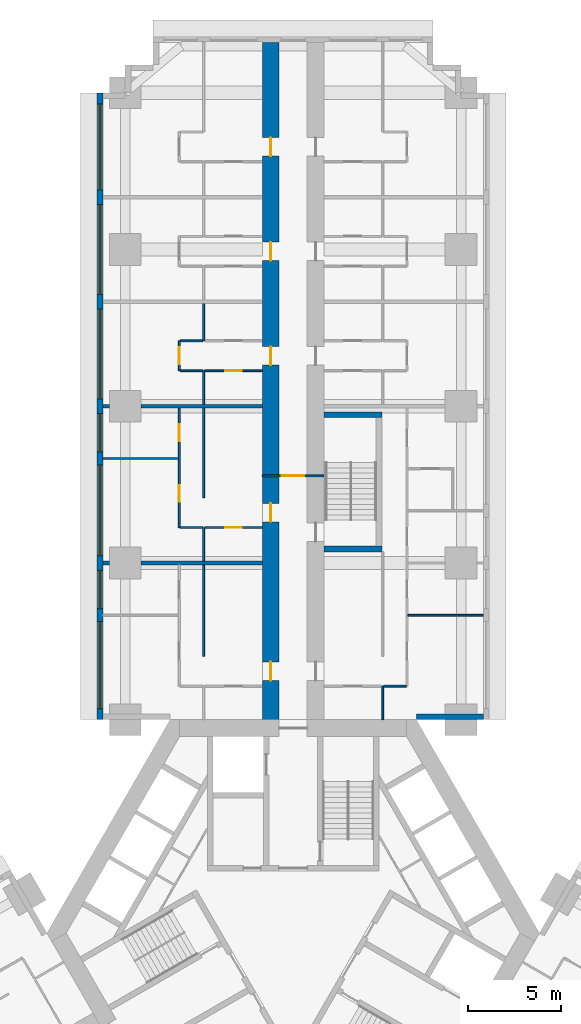
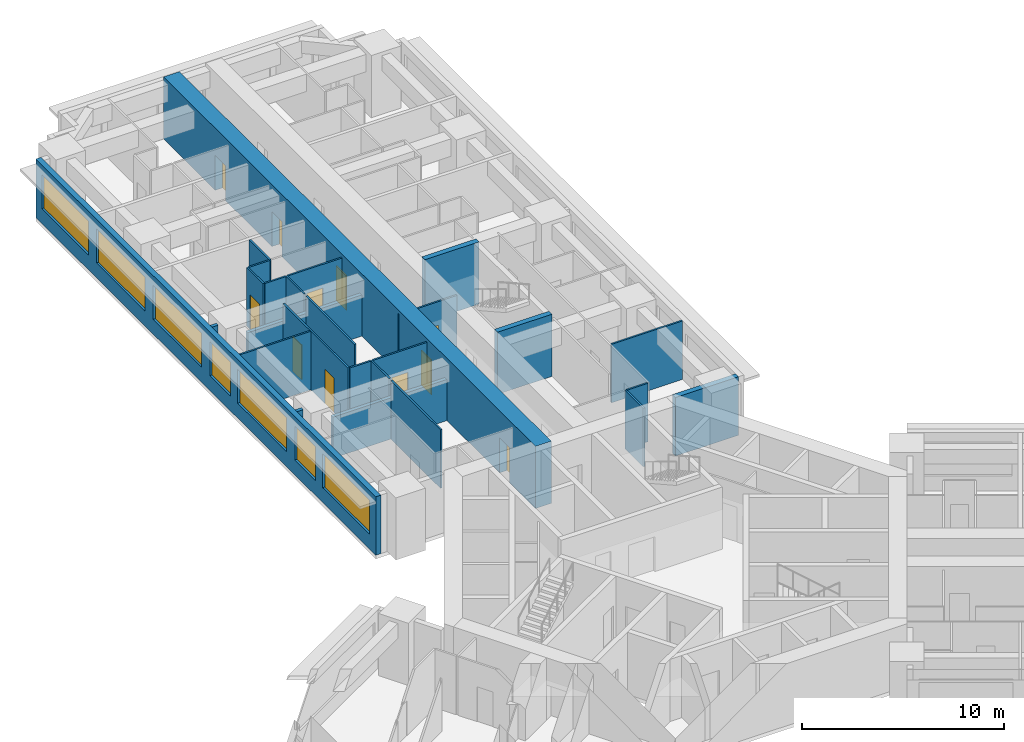
# One storey, part 9 of 16: 26 walls, 11 doors, 7 windows, 18 openings.
"""IFC4 building model written with IfcOpenShell, lengths in metres."""

from ifc_helpers import new_model, si_unit, direction, frame, frame_2d, origin, place, context, subcontext, project, spatial, rectangle, extrude, material, layer, layer_set, type_object, element, fill, save


model = new_model("IFC4")

# Units and contexts
model_context = context("Model", 3, precision=1e-05, world=origin(), true_north=direction((0.0, 1.0)))
body_context = subcontext(model_context, "Body", "Model", "MODEL_VIEW")
ifc_project = project(units=[si_unit("LENGTHUNIT", "METRE"), si_unit("AREAUNIT", "SQUARE_METRE"), si_unit("VOLUMEUNIT", "CUBIC_METRE"), si_unit("PLANEANGLEUNIT", "RADIAN"), si_unit("MASSUNIT", "GRAM", prefix="KILO")], contexts=[model_context])

# Site, building, storey
site_placement = place(None, origin())
site = spatial("IfcSite", under=ifc_project, at=site_placement, CompositionType="ELEMENT")
building_placement = place(site_placement, origin())
building = spatial("IfcBuilding", under=site, at=building_placement, Name="Impinga Residences", CompositionType="ELEMENT")
storey_placement = place(building_placement, frame((0.0, 0.0, 37.25)))
storey = spatial("IfcBuildingStorey", under=building, at=storey_placement, Name="L08", CompositionType="ELEMENT", Elevation=37.25)

# Wall, openings, doors
ifc_material_1 = material(Name="Concrete C70/85", Category="concrete")
ifc_layer_1 = layer(ifc_material_1, 0.89990234375)
ifc_layer_set_1 = layer_set([ifc_layer_1], Name="Concrete C70/85")
wall_type_1 = type_object("IfcWallType", Name="BW1 corridor buttress wall, L05 to L22 900", PredefinedType="SHEAR", material=ifc_layer_set_1)
wall_1_placement = place(storey_placement, frame((-1.199951171875, 10.9814453125, 0.0), z_axis=(0.0, 0.0, 1.0), x_axis=(0.0, 1.0, 0.0)))
wall_1 = element("IfcWall", 1, at=wall_1_placement, inside=storey, type_object=wall_type_1, Name="Corridor wall BW1 NC L08", PredefinedType="SHEAR", context=body_context, shape_type="SweptSolid", body=[
    extrude(rectangle(XDim=36.75, YDim=0.89990234375, at=frame_2d((18.375, 0.0))), origin(), (0.0, 0.0, 1.0), 3.75),
])
opening_1_placement = place(wall_1_placement, frame((2.550048828125, 0.0, 0.0)))
opening_1 = element("IfcOpeningElement", 2, at=opening_1_placement, cuts=wall_1, Name="Opening D1", PredefinedType="OPENING", context=body_context, shape_type="SweptSolid", body=[
    extrude(rectangle(XDim=1.0, YDim=2.10009765625, at=frame_2d((0.5, 1.050048828125))), frame((0.0, 0.4599609375, 0.0), z_axis=(0.0, -1.0, 0.0), x_axis=(1.0, 0.0, 0.0)), (0.0, 0.0, 1.0), 0.919921875),
])
opening_2_placement = place(wall_1_placement, frame((11.050048828125, 0.0, 0.0)))
opening_2 = element("IfcOpeningElement", 3, at=opening_2_placement, cuts=wall_1, Name="Opening D1", PredefinedType="OPENING", context=body_context, shape_type="SweptSolid", body=[
    extrude(rectangle(XDim=1.0, YDim=2.10009765625, at=frame_2d((0.5, 1.050048828125))), frame((0.0, 0.4599609375, 0.0), z_axis=(0.0, -1.0, 0.0), x_axis=(1.0, 0.0, 0.0)), (0.0, 0.0, 1.0), 0.919921875),
])
opening_3_placement = place(wall_1_placement, frame((19.449951171875, 0.0, 0.0)))
opening_3 = element("IfcOpeningElement", 4, at=opening_3_placement, cuts=wall_1, Name="Opening D1", PredefinedType="OPENING", context=body_context, shape_type="SweptSolid", body=[
    extrude(rectangle(XDim=1.0, YDim=2.10009765625, at=frame_2d((0.5, 1.050048828125))), frame((0.0, 0.4599609375, 0.0), z_axis=(0.0, -1.0, 0.0), x_axis=(1.0, 0.0, 0.0)), (0.0, 0.0, 1.0), 0.919921875),
])
opening_4_placement = place(wall_1_placement, frame((25.050048828125, 0.0, 0.0)))
opening_4 = element("IfcOpeningElement", 5, at=opening_4_placement, cuts=wall_1, Name="Opening D1", PredefinedType="OPENING", context=body_context, shape_type="SweptSolid", body=[
    extrude(rectangle(XDim=1.0, YDim=2.10009765625, at=frame_2d((0.5, 1.050048828125))), frame((0.0, 0.4599609375, 0.0), z_axis=(0.0, -1.0, 0.0), x_axis=(1.0, 0.0, 0.0)), (0.0, 0.0, 1.0), 0.919921875),
])
opening_5_placement = place(wall_1_placement, frame((30.64990234375, 0.0, 0.0)))
opening_5 = element("IfcOpeningElement", 6, at=opening_5_placement, cuts=wall_1, Name="Opening D1", PredefinedType="OPENING", context=body_context, shape_type="SweptSolid", body=[
    extrude(rectangle(XDim=1.0, YDim=2.10009765625, at=frame_2d((0.5, 1.050048828125))), frame((0.0, 0.4599609375, 0.0), z_axis=(0.0, -1.0, 0.0), x_axis=(1.0, 0.0, 0.0)), (0.0, 0.0, 1.0), 0.919921875),
])
ifc_material_2 = material(Name="Timber door set", Category="wood")
door_type_1 = type_object("IfcDoorType", Name="D1 apartment entrance door 1000x2100", OperationType="SINGLE_SWING_LEFT", PredefinedType="DOOR", material=ifc_material_2)
door_1_placement = place(opening_1_placement, origin())
door_1 = element("IfcDoor", 7, at=door_1_placement, inside=storey, type_object=door_type_1, Name="Apartment L08-NA1 entrance", OperationType="SINGLE_SWING_LEFT", OverallHeight=2.10009765625, OverallWidth=1.0, PredefinedType="DOOR", context=body_context, shape_type="SweptSolid", body=[
    extrude(rectangle(XDim=1.0, YDim=2.10009765625, at=frame_2d((0.5, 1.050048828125))), frame((0.0, 0.02490234375, 0.0), z_axis=(0.0, -1.0, 0.0), x_axis=(1.0, 0.0, 0.0)), (0.0, 0.0, 1.0), 0.050048828125),
])
fill(opening_1, door_1)
door_2_placement = place(opening_2_placement, origin())
door_2 = element("IfcDoor", 8, at=door_2_placement, inside=storey, type_object=door_type_1, Name="Apartment L08-NA2 entrance", OperationType="SINGLE_SWING_LEFT", OverallHeight=2.10009765625, OverallWidth=1.0, PredefinedType="DOOR", context=body_context, shape_type="SweptSolid", body=[
    extrude(rectangle(XDim=1.0, YDim=2.10009765625, at=frame_2d((0.5, 1.050048828125))), frame((0.0, 0.02490234375, 0.0), z_axis=(0.0, -1.0, 0.0), x_axis=(1.0, 0.0, 0.0)), (0.0, 0.0, 1.0), 0.050048828125),
])
fill(opening_2, door_2)
door_3_placement = place(opening_3_placement, origin())
door_3 = element("IfcDoor", 9, at=door_3_placement, inside=storey, type_object=door_type_1, Name="Apartment L08-NA3 entrance", OperationType="SINGLE_SWING_RIGHT", OverallHeight=2.10009765625, OverallWidth=1.0, PredefinedType="DOOR", context=body_context, shape_type="SweptSolid", body=[
    extrude(rectangle(XDim=1.0, YDim=2.10009765625, at=frame_2d((0.5, 1.050048828125))), frame((0.0, 0.02490234375, 0.0), z_axis=(0.0, -1.0, 0.0), x_axis=(1.0, 0.0, 0.0)), (0.0, 0.0, 1.0), 0.050048828125),
])
fill(opening_3, door_3)
door_4_placement = place(opening_4_placement, origin())
door_4 = element("IfcDoor", 10, at=door_4_placement, inside=storey, type_object=door_type_1, Name="Apartment L08-NA4 entrance", OperationType="SINGLE_SWING_RIGHT", OverallHeight=2.10009765625, OverallWidth=1.0, PredefinedType="DOOR", context=body_context, shape_type="SweptSolid", body=[
    extrude(rectangle(XDim=1.0, YDim=2.10009765625, at=frame_2d((0.5, 1.050048828125))), frame((0.0, 0.02490234375, 0.0), z_axis=(0.0, -1.0, 0.0), x_axis=(1.0, 0.0, 0.0)), (0.0, 0.0, 1.0), 0.050048828125),
])
fill(opening_4, door_4)
door_5_placement = place(opening_5_placement, origin())
door_5 = element("IfcDoor", 11, at=door_5_placement, inside=storey, type_object=door_type_1, Name="Apartment L08-NA5 entrance", OperationType="SINGLE_SWING_RIGHT", OverallHeight=2.10009765625, OverallWidth=1.0, PredefinedType="DOOR", context=body_context, shape_type="SweptSolid", body=[
    extrude(rectangle(XDim=1.0, YDim=2.10009765625, at=frame_2d((0.5, 1.050048828125))), frame((0.0, 0.02490234375, 0.0), z_axis=(0.0, -1.0, 0.0), x_axis=(1.0, 0.0, 0.0)), (0.0, 0.0, 1.0), 0.050048828125),
])
fill(opening_5, door_5)

# Wall, opening, door
ifc_material_3 = material(Name="Concrete blockwork", Category="masonry")
ifc_layer_2 = layer(ifc_material_3, 0.10009765625)
ifc_layer_set_2 = layer_set([ifc_layer_2], Name="CP1 core room partition, blockwork 100")
wall_type_2 = type_object("IfcWallType", Name="CP1 core room partition, blockwork 100", PredefinedType="PARTITIONING", material=ifc_layer_set_2)
wall_2_placement = place(storey_placement, frame((-1.64990234375, 24.5, 0.0), z_axis=(0.0, 0.0, 1.0), x_axis=(1.0, 0.0, 0.0)))
wall_2 = element("IfcWall", 12, at=wall_2_placement, inside=storey, type_object=wall_type_2, Name="Core room partition, blockwork L08:N:SCR", PredefinedType="PARTITIONING", context=body_context, shape_type="SweptSolid", body=[
    extrude(rectangle(XDim=3.2998046875, YDim=0.10009765625, at=frame_2d((1.64990234375, 0.0))), origin(), (0.0, 0.0, 1.0), 3.530029296875),
])
opening_6_placement = place(wall_2_placement, frame((1.050048828125, 0.0, 0.0)))
opening_6 = element("IfcOpeningElement", 13, at=opening_6_placement, cuts=wall_2, Name="Opening D3", PredefinedType="OPENING", context=body_context, shape_type="SweptSolid", body=[
    extrude(rectangle(XDim=1.199951171875, YDim=2.10009765625, at=frame_2d((0.60009765625, 1.050048828125))), frame((0.0, 0.06005859375, 0.0), z_axis=(0.0, -1.0, 0.0), x_axis=(1.0, 0.0, 0.0)), (0.0, 0.0, 1.0), 0.1201171875),
])
door_type_2 = type_object("IfcDoorType", Name="D3 room door, leaf and a half 1200x2100", OperationType="DOUBLE_SWING_LEFT", PredefinedType="DOOR", material=ifc_material_2)
door_6_placement = place(opening_6_placement, origin())
door_6 = element("IfcDoor", 14, at=door_6_placement, inside=storey, type_object=door_type_2, Name="Corridor smoke door N", OperationType="DOUBLE_SWING_LEFT", OverallHeight=2.10009765625, OverallWidth=1.199951171875, PredefinedType="DOOR", context=body_context, shape_type="SweptSolid", body=[
    extrude(rectangle(XDim=1.199951171875, YDim=2.10009765625, at=frame_2d((0.60009765625, 1.050048828125))), frame((0.0, 0.02490234375, 0.0), z_axis=(0.0, -1.0, 0.0), x_axis=(1.0, 0.0, 0.0)), (0.0, 0.0, 1.0), 0.050048828125),
])
fill(opening_6, door_6)

# Wall, openings, windows
ifc_material_4 = material(Name="Terracotta rainscreen on blockwork", Category="masonry")
ifc_layer_3 = layer(ifc_material_4, 0.300048828125)
ifc_layer_set_3 = layer_set([ifc_layer_3], Name="EW1 external wall, terracotta rainscreen on blockwork 300")
wall_type_3 = type_object("IfcWallType", Name="EW1 external wall, terracotta rainscreen on blockwork 300", PredefinedType="SOLIDWALL", material=ifc_layer_set_3)
wall_3_placement = place(storey_placement, frame((-10.35009765625, 11.431640625, 0.0), z_axis=(0.0, 0.0, 1.0), x_axis=(0.0, 1.0, 0.0)))
wall_3 = element("IfcWall", 15, at=wall_3_placement, inside=storey, type_object=wall_type_3, Name="External wall EW1 L08", PredefinedType="SOLIDWALL", context=body_context, shape_type="SweptSolid", body=[
    extrude(rectangle(XDim=33.599853515625, YDim=0.300048828125, at=frame_2d((16.7998046875, 0.0))), origin(), (0.0, 0.0, 1.0), 3.530029296875),
])
opening_7_placement = place(wall_3_placement, frame((0.60009765625, 0.0, 0.89990234375)))
opening_7 = element("IfcOpeningElement", 16, at=opening_7_placement, cuts=wall_3, Name="Opening W10", PredefinedType="OPENING", context=body_context, shape_type="SweptSolid", body=[
    extrude(rectangle(XDim=4.64990234375, YDim=2.050048828125, at=frame_2d((2.324951171875, 1.02490234375))), frame((0.0, 0.159912109375, 0.0), z_axis=(0.0, -1.0, 0.0), x_axis=(1.0, 0.0, 0.0)), (0.0, 0.0, 1.0), 0.320068359375),
])
opening_8_placement = place(wall_3_placement, frame((5.949951171875, 0.0, 0.89990234375)))
opening_8 = element("IfcOpeningElement", 17, at=opening_8_placement, cuts=wall_3, Name="Opening W14", PredefinedType="OPENING", context=body_context, shape_type="SweptSolid", body=[
    extrude(rectangle(XDim=2.050048828125, YDim=2.050048828125, at=frame_2d((1.02490234375, 1.02490234375))), frame((0.0, 0.159912109375, 0.0), z_axis=(0.0, -1.0, 0.0), x_axis=(1.0, 0.0, 0.0)), (0.0, 0.0, 1.0), 0.320068359375),
])
opening_9_placement = place(wall_3_placement, frame((8.800048828125, 0.0, 0.89990234375)))
opening_9 = element("IfcOpeningElement", 18, at=opening_9_placement, cuts=wall_3, Name="Opening W6", PredefinedType="OPENING", context=body_context, shape_type="SweptSolid", body=[
    extrude(rectangle(XDim=4.85009765625, YDim=2.050048828125, at=frame_2d((2.425048828125, 1.02490234375))), frame((0.0, 0.159912109375, 0.0), z_axis=(0.0, -1.0, 0.0), x_axis=(1.0, 0.0, 0.0)), (0.0, 0.0, 1.0), 0.320068359375),
])
opening_10_placement = place(wall_3_placement, frame((14.35009765625, 0.0, 0.89990234375)))
opening_10 = element("IfcOpeningElement", 19, at=opening_10_placement, cuts=wall_3, Name="Opening W14", PredefinedType="OPENING", context=body_context, shape_type="SweptSolid", body=[
    extrude(rectangle(XDim=2.050048828125, YDim=2.050048828125, at=frame_2d((1.02490234375, 1.02490234375))), frame((0.0, 0.159912109375, 0.0), z_axis=(0.0, -1.0, 0.0), x_axis=(1.0, 0.0, 0.0)), (0.0, 0.0, 1.0), 0.320068359375),
])
opening_11_placement = place(wall_3_placement, frame((17.199951171875, 0.0, 0.89990234375)))
opening_11 = element("IfcOpeningElement", 20, at=opening_11_placement, cuts=wall_3, Name="Opening W8", PredefinedType="OPENING", context=body_context, shape_type="SweptSolid", body=[
    extrude(rectangle(XDim=4.800048828125, YDim=2.050048828125, at=frame_2d((2.39990234375, 1.02490234375))), frame((0.0, 0.159912109375, 0.0), z_axis=(0.0, -1.0, 0.0), x_axis=(1.0, 0.0, 0.0)), (0.0, 0.0, 1.0), 0.320068359375),
])
opening_12_placement = place(wall_3_placement, frame((22.800048828125, 0.0, 0.89990234375)))
opening_12 = element("IfcOpeningElement", 21, at=opening_12_placement, cuts=wall_3, Name="Opening W8", PredefinedType="OPENING", context=body_context, shape_type="SweptSolid", body=[
    extrude(rectangle(XDim=4.800048828125, YDim=2.050048828125, at=frame_2d((2.39990234375, 1.02490234375))), frame((0.0, 0.159912109375, 0.0), z_axis=(0.0, -1.0, 0.0), x_axis=(1.0, 0.0, 0.0)), (0.0, 0.0, 1.0), 0.320068359375),
])
opening_13_placement = place(wall_3_placement, frame((28.39990234375, 0.0, 0.89990234375)))
opening_13 = element("IfcOpeningElement", 22, at=opening_13_placement, cuts=wall_3, Name="Opening W3", PredefinedType="OPENING", context=body_context, shape_type="SweptSolid", body=[
    extrude(rectangle(XDim=4.60009765625, YDim=2.050048828125, at=frame_2d((2.300048828125, 1.02490234375))), frame((0.0, 0.159912109375, 0.0), z_axis=(0.0, -1.0, 0.0), x_axis=(1.0, 0.0, 0.0)), (0.0, 0.0, 1.0), 0.320068359375),
])
ifc_material_5 = material(Name="Aluminium window, clear double glazing", Category="aluminium")
window_type_1 = type_object("IfcWindowType", Name="W10 ribbon window 4650x2050", PartitioningType="SINGLE_PANEL", PredefinedType="WINDOW", material=ifc_material_5)
window_1_placement = place(opening_7_placement, origin())
window_1 = element("IfcWindow", 23, at=window_1_placement, inside=storey, type_object=window_type_1, Name="Window L08", OverallHeight=2.050048828125, OverallWidth=4.64990234375, PartitioningType="SINGLE_PANEL", PredefinedType="WINDOW", context=body_context, shape_type="SweptSolid", body=[
    extrude(rectangle(XDim=4.64990234375, YDim=2.050048828125, at=frame_2d((2.324951171875, 1.02490234375))), frame((0.0, 0.030029296875, 0.0), z_axis=(0.0, -1.0, 0.0), x_axis=(1.0, 0.0, 0.0)), (0.0, 0.0, 1.0), 0.06005859375),
])
fill(opening_7, window_1)
window_type_2 = type_object("IfcWindowType", Name="W14 ribbon window 2050x2050", PartitioningType="SINGLE_PANEL", PredefinedType="WINDOW", material=ifc_material_5)
window_2_placement = place(opening_8_placement, origin())
window_2 = element("IfcWindow", 24, at=window_2_placement, inside=storey, type_object=window_type_2, Name="Window L08", OverallHeight=2.050048828125, OverallWidth=2.050048828125, PartitioningType="SINGLE_PANEL", PredefinedType="WINDOW", context=body_context, shape_type="SweptSolid", body=[
    extrude(rectangle(XDim=2.050048828125, YDim=2.050048828125, at=frame_2d((1.02490234375, 1.02490234375))), frame((0.0, 0.030029296875, 0.0), z_axis=(0.0, -1.0, 0.0), x_axis=(1.0, 0.0, 0.0)), (0.0, 0.0, 1.0), 0.06005859375),
])
fill(opening_8, window_2)
window_3_placement = place(opening_10_placement, origin())
window_3 = element("IfcWindow", 25, at=window_3_placement, inside=storey, type_object=window_type_2, Name="Window L08", OverallHeight=2.050048828125, OverallWidth=2.050048828125, PartitioningType="SINGLE_PANEL", PredefinedType="WINDOW", context=body_context, shape_type="SweptSolid", body=[
    extrude(rectangle(XDim=2.050048828125, YDim=2.050048828125, at=frame_2d((1.02490234375, 1.02490234375))), frame((0.0, 0.030029296875, 0.0), z_axis=(0.0, -1.0, 0.0), x_axis=(1.0, 0.0, 0.0)), (0.0, 0.0, 1.0), 0.06005859375),
])
fill(opening_10, window_3)
window_type_3 = type_object("IfcWindowType", Name="W3 ribbon window 4600x2050", PartitioningType="SINGLE_PANEL", PredefinedType="WINDOW", material=ifc_material_5)
window_4_placement = place(opening_13_placement, origin())
window_4 = element("IfcWindow", 26, at=window_4_placement, inside=storey, type_object=window_type_3, Name="Window L08", OverallHeight=2.050048828125, OverallWidth=4.60009765625, PartitioningType="SINGLE_PANEL", PredefinedType="WINDOW", context=body_context, shape_type="SweptSolid", body=[
    extrude(rectangle(XDim=4.60009765625, YDim=2.050048828125, at=frame_2d((2.300048828125, 1.02490234375))), frame((0.0, 0.030029296875, 0.0), z_axis=(0.0, -1.0, 0.0), x_axis=(1.0, 0.0, 0.0)), (0.0, 0.0, 1.0), 0.06005859375),
])
fill(opening_13, window_4)
window_type_4 = type_object("IfcWindowType", Name="W6 ribbon window 4850x2050", PartitioningType="SINGLE_PANEL", PredefinedType="WINDOW", material=ifc_material_5)
window_5_placement = place(opening_9_placement, origin())
window_5 = element("IfcWindow", 27, at=window_5_placement, inside=storey, type_object=window_type_4, Name="Window L08", OverallHeight=2.050048828125, OverallWidth=4.85009765625, PartitioningType="SINGLE_PANEL", PredefinedType="WINDOW", context=body_context, shape_type="SweptSolid", body=[
    extrude(rectangle(XDim=4.85009765625, YDim=2.050048828125, at=frame_2d((2.425048828125, 1.02490234375))), frame((0.0, 0.030029296875, 0.0), z_axis=(0.0, -1.0, 0.0), x_axis=(1.0, 0.0, 0.0)), (0.0, 0.0, 1.0), 0.06005859375),
])
fill(opening_9, window_5)
window_type_5 = type_object("IfcWindowType", Name="W8 ribbon window 4800x2050", PartitioningType="SINGLE_PANEL", PredefinedType="WINDOW", material=ifc_material_5)
window_6_placement = place(opening_11_placement, origin())
window_6 = element("IfcWindow", 28, at=window_6_placement, inside=storey, type_object=window_type_5, Name="Window L08", OverallHeight=2.050048828125, OverallWidth=4.800048828125, PartitioningType="SINGLE_PANEL", PredefinedType="WINDOW", context=body_context, shape_type="SweptSolid", body=[
    extrude(rectangle(XDim=4.800048828125, YDim=2.050048828125, at=frame_2d((2.39990234375, 1.02490234375))), frame((0.0, 0.030029296875, 0.0), z_axis=(0.0, -1.0, 0.0), x_axis=(1.0, 0.0, 0.0)), (0.0, 0.0, 1.0), 0.06005859375),
])
fill(opening_11, window_6)
window_7_placement = place(opening_12_placement, origin())
window_7 = element("IfcWindow", 29, at=window_7_placement, inside=storey, type_object=window_type_5, Name="Window L08", OverallHeight=2.050048828125, OverallWidth=4.800048828125, PartitioningType="SINGLE_PANEL", PredefinedType="WINDOW", context=body_context, shape_type="SweptSolid", body=[
    extrude(rectangle(XDim=4.800048828125, YDim=2.050048828125, at=frame_2d((2.39990234375, 1.02490234375))), frame((0.0, 0.030029296875, 0.0), z_axis=(0.0, -1.0, 0.0), x_axis=(1.0, 0.0, 0.0)), (0.0, 0.0, 1.0), 0.06005859375),
])
fill(opening_12, window_7)

# Walls
wall_4_placement = place(storey_placement, frame((10.199951171875, 11.58154296875, 0.0), z_axis=(0.0, 0.0, 1.0), x_axis=(-1.0, 0.0, 0.0)))
element("IfcWall", 30, at=wall_4_placement, inside=storey, type_object=wall_type_3, Name="External wall EW1 L08", PredefinedType="SOLIDWALL", context=body_context, shape_type="SweptSolid", body=[
    extrude(rectangle(XDim=3.599853515625, YDim=0.300048828125, at=frame_2d((1.7998046875, 0.0))), origin(), (0.0, 0.0, 1.0), 3.530029296875),
])
ifc_material_6 = material(Name="Gypsum board on steel studs", Category="steel")
ifc_layer_4 = layer(ifc_material_6, 0.10009765625)
ifc_layer_set_4 = layer_set([ifc_layer_4], Name="Gypsum board on steel studs")
wall_type_4 = type_object("IfcWallType", Name="IP1 partition 100", PredefinedType="PARTITIONING", material=ifc_layer_set_4)
wall_5_placement = place(storey_placement, frame((-4.800048828125, 14.83154296875, 0.0), z_axis=(0.0, 0.0, 1.0), x_axis=(0.0, 1.0, 0.0)))
element("IfcWall", 31, at=wall_5_placement, inside=storey, type_object=wall_type_4, Name="Partition L08-NA1:DIV1", PredefinedType="PARTITIONING", context=body_context, shape_type="SweptSolid", body=[
    extrude(rectangle(XDim=4.89990234375, YDim=0.10009765625, at=frame_2d((2.449951171875, 0.0))), origin(), (0.0, 0.0, 1.0), 3.530029296875),
])
wall_6_placement = place(storey_placement, frame((-4.800048828125, 19.931640625, 0.0), z_axis=(0.0, 0.0, 1.0), x_axis=(0.0, 1.0, 0.0)))
element("IfcWall", 32, at=wall_6_placement, inside=storey, type_object=wall_type_4, Name="Partition L08-NA2:DIV0", PredefinedType="PARTITIONING", context=body_context, shape_type="SweptSolid", body=[
    extrude(rectangle(XDim=1.7998046875, YDim=0.10009765625, at=frame_2d((0.89990234375, 0.0))), origin(), (0.0, 0.0, 1.0), 3.530029296875),
])
wall_7_placement = place(storey_placement, frame((-4.800048828125, 23.33154296875, 0.0), z_axis=(0.0, 0.0, 1.0), x_axis=(0.0, 1.0, 0.0)))
element("IfcWall", 33, at=wall_7_placement, inside=storey, type_object=wall_type_4, Name="Partition L08-NA2:DIV1", PredefinedType="PARTITIONING", context=body_context, shape_type="SweptSolid", body=[
    extrude(rectangle(XDim=4.800048828125, YDim=0.10009765625, at=frame_2d((2.39990234375, 0.0))), origin(), (0.0, 0.0, 1.0), 3.530029296875),
])

# Wall, openings, doors
wall_8_placement = place(storey_placement, frame((-6.10009765625, 21.7314453125, 0.0), z_axis=(0.0, 0.0, 1.0), x_axis=(0.0, 1.0, 0.0)))
wall_8 = element("IfcWall", 34, at=wall_8_placement, inside=storey, type_object=wall_type_4, Name="Partition L08-NA2:STRIP", PredefinedType="PARTITIONING", context=body_context, shape_type="SweptSolid", body=[
    extrude(rectangle(XDim=6.400146484375, YDim=0.10009765625, at=frame_2d((3.2001953125, 0.0))), origin(), (0.0, 0.0, 1.0), 3.530029296875),
])
opening_14_placement = place(wall_8_placement, frame((1.375, 0.0, 0.0)))
opening_14 = element("IfcOpeningElement", 35, at=opening_14_placement, cuts=wall_8, Name="Opening D2", PredefinedType="OPENING", context=body_context, shape_type="SweptSolid", body=[
    extrude(rectangle(XDim=0.89990234375, YDim=2.10009765625, at=frame_2d((0.449951171875, 1.050048828125))), frame((0.0, 0.06005859375, 0.0), z_axis=(0.0, -1.0, 0.0), x_axis=(1.0, 0.0, 0.0)), (0.0, 0.0, 1.0), 0.1201171875),
])
opening_15_placement = place(wall_8_placement, frame((4.625, 0.0, 0.0)))
opening_15 = element("IfcOpeningElement", 36, at=opening_15_placement, cuts=wall_8, Name="Opening D2", PredefinedType="OPENING", context=body_context, shape_type="SweptSolid", body=[
    extrude(rectangle(XDim=0.89990234375, YDim=2.10009765625, at=frame_2d((0.449951171875, 1.050048828125))), frame((0.0, 0.06005859375, 0.0), z_axis=(0.0, -1.0, 0.0), x_axis=(1.0, 0.0, 0.0)), (0.0, 0.0, 1.0), 0.1201171875),
])
door_type_3 = type_object("IfcDoorType", Name="D2 internal door 900x2100", OperationType="SINGLE_SWING_LEFT", PredefinedType="DOOR", material=ifc_material_2)
door_7_placement = place(opening_14_placement, origin())
door_7 = element("IfcDoor", 37, at=door_7_placement, inside=storey, type_object=door_type_3, Name="Apartment L08-NA2 room door", OperationType="SINGLE_SWING_LEFT", OverallHeight=2.10009765625, OverallWidth=0.89990234375, PredefinedType="DOOR", context=body_context, shape_type="SweptSolid", body=[
    extrude(rectangle(XDim=0.89990234375, YDim=2.10009765625, at=frame_2d((0.449951171875, 1.050048828125))), frame((0.0, 0.02490234375, 0.0), z_axis=(0.0, -1.0, 0.0), x_axis=(1.0, 0.0, 0.0)), (0.0, 0.0, 1.0), 0.050048828125),
])
fill(opening_14, door_7)
door_8_placement = place(opening_15_placement, origin())
door_8 = element("IfcDoor", 38, at=door_8_placement, inside=storey, type_object=door_type_3, Name="Apartment L08-NA2 room door", OperationType="SINGLE_SWING_RIGHT", OverallHeight=2.10009765625, OverallWidth=0.89990234375, PredefinedType="DOOR", context=body_context, shape_type="SweptSolid", body=[
    extrude(rectangle(XDim=0.89990234375, YDim=2.10009765625, at=frame_2d((0.449951171875, 1.050048828125))), frame((0.0, 0.02490234375, 0.0), z_axis=(0.0, -1.0, 0.0), x_axis=(1.0, 0.0, 0.0)), (0.0, 0.0, 1.0), 0.050048828125),
])
fill(opening_15, door_8)

# Wall
wall_9_placement = place(storey_placement, frame((-4.85009765625, 21.7314453125, 0.0), z_axis=(0.0, 0.0, 1.0), x_axis=(-1.0, 0.0, 0.0)))
element("IfcWall", 39, at=wall_9_placement, inside=storey, type_object=wall_type_4, Name="Partition L08-NA2:SE0", PredefinedType="PARTITIONING", context=body_context, shape_type="SweptSolid", body=[
    extrude(rectangle(XDim=1.199951171875, YDim=0.10009765625, at=frame_2d((0.60009765625, 0.0))), origin(), (0.0, 0.0, 1.0), 3.530029296875),
])

# Wall, opening, door
wall_10_placement = place(storey_placement, frame((-1.64990234375, 21.7314453125, 0.0), z_axis=(0.0, 0.0, 1.0), x_axis=(-1.0, 0.0, 0.0)))
wall_10 = element("IfcWall", 40, at=wall_10_placement, inside=storey, type_object=wall_type_4, Name="Partition L08-NA2:IB1", PredefinedType="PARTITIONING", context=body_context, shape_type="SweptSolid", body=[
    extrude(rectangle(XDim=3.10009765625, YDim=0.10009765625, at=frame_2d((1.550048828125, 0.0))), origin(), (0.0, 0.0, 1.0), 3.530029296875),
])
opening_16_placement = place(wall_10_placement, frame((1.10009765625, 0.0, 0.0)))
opening_16 = element("IfcOpeningElement", 41, at=opening_16_placement, cuts=wall_10, Name="Opening D2", PredefinedType="OPENING", context=body_context, shape_type="SweptSolid", body=[
    extrude(rectangle(XDim=0.89990234375, YDim=2.10009765625, at=frame_2d((0.449951171875, 1.050048828125))), frame((0.0, 0.06005859375, 0.0), z_axis=(0.0, -1.0, 0.0), x_axis=(1.0, 0.0, 0.0)), (0.0, 0.0, 1.0), 0.1201171875),
])
door_9_placement = place(opening_16_placement, origin())
door_9 = element("IfcDoor", 42, at=door_9_placement, inside=storey, type_object=door_type_3, Name="Apartment L08-NA2 bathroom door", OperationType="SINGLE_SWING_LEFT", OverallHeight=2.10009765625, OverallWidth=0.89990234375, PredefinedType="DOOR", context=body_context, shape_type="SweptSolid", body=[
    extrude(rectangle(XDim=0.89990234375, YDim=2.10009765625, at=frame_2d((0.449951171875, 1.050048828125))), frame((0.0, 0.02490234375, 0.0), z_axis=(0.0, -1.0, 0.0), x_axis=(1.0, 0.0, 0.0)), (0.0, 0.0, 1.0), 0.050048828125),
])
fill(opening_16, door_9)

# Walls
wall_11_placement = place(storey_placement, frame((-6.14990234375, 25.431640625, 0.0), z_axis=(0.0, 0.0, 1.0), x_axis=(-1.0, 0.0, 0.0)))
element("IfcWall", 43, at=wall_11_placement, inside=storey, type_object=wall_type_4, Name="Partition L08-NA2:OB1", PredefinedType="PARTITIONING", context=body_context, shape_type="SweptSolid", body=[
    extrude(rectangle(XDim=4.050048828125, YDim=0.10009765625, at=frame_2d((2.02490234375, 0.0))), origin(), (0.0, 0.0, 1.0), 3.530029296875),
])
wall_12_placement = place(storey_placement, frame((-4.800048828125, 28.33154296875, 0.0), z_axis=(0.0, 0.0, 1.0), x_axis=(0.0, 1.0, 0.0)))
element("IfcWall", 44, at=wall_12_placement, inside=storey, type_object=wall_type_4, Name="Partition L08-NA3:DIV0", PredefinedType="PARTITIONING", context=body_context, shape_type="SweptSolid", body=[
    extrude(rectangle(XDim=1.800048828125, YDim=0.10009765625, at=frame_2d((0.89990234375, 0.0))), origin(), (0.0, 0.0, 1.0), 3.530029296875),
])
wall_13_placement = place(storey_placement, frame((-4.800048828125, 31.7314453125, 0.0), z_axis=(0.0, 0.0, 1.0), x_axis=(0.0, 1.0, 0.0)))
element("IfcWall", 45, at=wall_13_placement, inside=storey, type_object=wall_type_4, Name="Partition L08-NA3:DIV1", PredefinedType="PARTITIONING", context=body_context, shape_type="SweptSolid", body=[
    extrude(rectangle(XDim=2.0, YDim=0.10009765625, at=frame_2d((1.0, 0.0))), origin(), (0.0, 0.0, 1.0), 3.530029296875),
])

# Wall, opening, door
wall_14_placement = place(storey_placement, frame((-6.10009765625, 30.131591796875, 0.0), z_axis=(0.0, 0.0, 1.0), x_axis=(0.0, 1.0, 0.0)))
wall_14 = element("IfcWall", 46, at=wall_14_placement, inside=storey, type_object=wall_type_4, Name="Partition L08-NA3:STRIP", PredefinedType="PARTITIONING", context=body_context, shape_type="SweptSolid", body=[
    extrude(rectangle(XDim=1.599853515625, YDim=0.10009765625, at=frame_2d((0.7998046875, 0.0))), origin(), (0.0, 0.0, 1.0), 3.530029296875),
])
opening_17_placement = place(wall_14_placement, frame((0.35009765625, 0.0, 0.0)))
opening_17 = element("IfcOpeningElement", 47, at=opening_17_placement, cuts=wall_14, Name="Opening D2", PredefinedType="OPENING", context=body_context, shape_type="SweptSolid", body=[
    extrude(rectangle(XDim=0.89990234375, YDim=2.10009765625, at=frame_2d((0.449951171875, 1.050048828125))), frame((0.0, 0.06005859375, 0.0), z_axis=(0.0, -1.0, 0.0), x_axis=(1.0, 0.0, 0.0)), (0.0, 0.0, 1.0), 0.1201171875),
])
door_10_placement = place(opening_17_placement, origin())
door_10 = element("IfcDoor", 48, at=door_10_placement, inside=storey, type_object=door_type_3, Name="Apartment L08-NA3 room door", OperationType="SINGLE_SWING_LEFT", OverallHeight=2.10009765625, OverallWidth=0.89990234375, PredefinedType="DOOR", context=body_context, shape_type="SweptSolid", body=[
    extrude(rectangle(XDim=0.89990234375, YDim=2.10009765625, at=frame_2d((0.449951171875, 1.050048828125))), frame((0.0, 0.02490234375, 0.0), z_axis=(0.0, -1.0, 0.0), x_axis=(1.0, 0.0, 0.0)), (0.0, 0.0, 1.0), 0.050048828125),
])
fill(opening_17, door_10)

# Walls
for number, where, z_axis, x_axis, name in (
    (49, (-4.85009765625, 30.131591796875, 0.0), (0.0, 0.0, 1.0), (-1.0, 0.0, 0.0), "Partition L08-NA3:SE0"),
    (50, (-4.85009765625, 31.7314453125, 0.0), (0.0, 0.0, 1.0), (-1.0, 0.0, 0.0), "Partition L08-NA3:SE1"),
):
    element("IfcWall", number, at=place(storey_placement, frame(where, z_axis=z_axis, x_axis=x_axis)), inside=storey, type_object=wall_type_4, Name=name, PredefinedType="PARTITIONING", context=body_context, shape_type="SweptSolid", body=[
        extrude(rectangle(XDim=1.199951171875, YDim=0.10009765625, at=frame_2d((0.60009765625, 0.0))), origin(), (0.0, 0.0, 1.0), 3.530029296875),
    ])

# Wall, opening, door
wall_15_placement = place(storey_placement, frame((-1.64990234375, 30.131591796875, 0.0), z_axis=(0.0, 0.0, 1.0), x_axis=(-1.0, 0.0, 0.0)))
wall_15 = element("IfcWall", 51, at=wall_15_placement, inside=storey, type_object=wall_type_4, Name="Partition L08-NA3:IB1", PredefinedType="PARTITIONING", context=body_context, shape_type="SweptSolid", body=[
    extrude(rectangle(XDim=3.10009765625, YDim=0.10009765625, at=frame_2d((1.550048828125, 0.0))), origin(), (0.0, 0.0, 1.0), 3.530029296875),
])
opening_18_placement = place(wall_15_placement, frame((1.10009765625, 0.0, 0.0)))
opening_18 = element("IfcOpeningElement", 52, at=opening_18_placement, cuts=wall_15, Name="Opening D2", PredefinedType="OPENING", context=body_context, shape_type="SweptSolid", body=[
    extrude(rectangle(XDim=0.89990234375, YDim=2.10009765625, at=frame_2d((0.449951171875, 1.050048828125))), frame((0.0, 0.06005859375, 0.0), z_axis=(0.0, -1.0, 0.0), x_axis=(1.0, 0.0, 0.0)), (0.0, 0.0, 1.0), 0.1201171875),
])
door_11_placement = place(opening_18_placement, origin())
door_11 = element("IfcDoor", 53, at=door_11_placement, inside=storey, type_object=door_type_3, Name="Apartment L08-NA3 bathroom door", OperationType="SINGLE_SWING_LEFT", OverallHeight=2.10009765625, OverallWidth=0.89990234375, PredefinedType="DOOR", context=body_context, shape_type="SweptSolid", body=[
    extrude(rectangle(XDim=0.89990234375, YDim=2.10009765625, at=frame_2d((0.449951171875, 1.050048828125))), frame((0.0, 0.02490234375, 0.0), z_axis=(0.0, -1.0, 0.0), x_axis=(1.0, 0.0, 0.0)), (0.0, 0.0, 1.0), 0.050048828125),
])
fill(opening_18, door_11)

# Walls
wall_16_placement = place(storey_placement, frame((4.800048828125, 11.431640625, 0.0), z_axis=(0.0, 0.0, 1.0), x_axis=(0.0, 1.0, 0.0)))
element("IfcWall", 54, at=wall_16_placement, inside=storey, type_object=wall_type_4, Name="Partition L08-NF1:DIV0", PredefinedType="PARTITIONING", context=body_context, shape_type="SweptSolid", body=[
    extrude(rectangle(XDim=1.7998046875, YDim=0.10009765625, at=frame_2d((0.89990234375, 0.0))), origin(), (0.0, 0.0, 1.0), 3.530029296875),
])
wall_17_placement = place(storey_placement, frame((4.85009765625, 13.2314453125, 0.0), z_axis=(0.0, 0.0, 1.0), x_axis=(1.0, 0.0, 0.0)))
element("IfcWall", 55, at=wall_17_placement, inside=storey, type_object=wall_type_4, Name="Partition L08-NF1:SE0", PredefinedType="PARTITIONING", context=body_context, shape_type="SweptSolid", body=[
    extrude(rectangle(XDim=1.199951171875, YDim=0.10009765625, at=frame_2d((0.60009765625, 0.0))), origin(), (0.0, 0.0, 1.0), 3.530029296875),
])
wall_18_placement = place(storey_placement, frame((6.14990234375, 17.031494140625, 0.0), z_axis=(0.0, 0.0, 1.0), x_axis=(1.0, 0.0, 0.0)))
element("IfcWall", 56, at=wall_18_placement, inside=storey, type_object=wall_type_4, Name="Partition L08-NF1:OB1", PredefinedType="PARTITIONING", context=body_context, shape_type="SweptSolid", body=[
    extrude(rectangle(XDim=4.050048828125, YDim=0.10009765625, at=frame_2d((2.02490234375, 0.0))), origin(), (0.0, 0.0, 1.0), 3.530029296875),
])
ifc_layer_5 = layer(ifc_material_3, 0.199951171875)
ifc_layer_set_5 = layer_set([ifc_layer_5], Name="PW1 party wall between apartments 200")
wall_type_5 = type_object("IfcWallType", Name="PW1 party wall between apartments 200", PredefinedType="SOLIDWALL", material=ifc_layer_set_5)
wall_19_placement = place(storey_placement, frame((-1.64990234375, 19.83154296875, 0.0), z_axis=(0.0, 0.0, 1.0), x_axis=(-1.0, 0.0, 0.0)))
element("IfcWall", 57, at=wall_19_placement, inside=storey, type_object=wall_type_5, Name="Party wall between apartments L08-NA1:PARTY", PredefinedType="SOLIDWALL", context=body_context, shape_type="SweptSolid", body=[
    extrude(rectangle(XDim=6.5, YDim=0.199951171875, at=frame_2d((3.25, 0.0))), origin(), (0.0, 0.0, 1.0), 2.47998046875),
])
wall_20_placement = place(storey_placement, frame((-9.85009765625, 19.83154296875, 0.0), z_axis=(0.0, 0.0, 1.0), x_axis=(-1.0, 0.0, 0.0)))
element("IfcWall", 58, at=wall_20_placement, inside=storey, type_object=wall_type_5, Name="Party wall between apartments L08-NA1:PARTYb", PredefinedType="SOLIDWALL", context=body_context, shape_type="SweptSolid", body=[
    extrude(rectangle(XDim=0.349853515625, YDim=0.199951171875, at=frame_2d((0.1748046875, 0.0))), origin(), (0.0, 0.0, 1.0), 3.530029296875),
])
wall_21_placement = place(storey_placement, frame((-1.64990234375, 28.2314453125, 0.0), z_axis=(0.0, 0.0, 1.0), x_axis=(-1.0, 0.0, 0.0)))
element("IfcWall", 59, at=wall_21_placement, inside=storey, type_object=wall_type_5, Name="Party wall between apartments L08-NA2:PARTY", PredefinedType="SOLIDWALL", context=body_context, shape_type="SweptSolid", body=[
    extrude(rectangle(XDim=6.5, YDim=0.199951171875, at=frame_2d((3.25, 0.0))), origin(), (0.0, 0.0, 1.0), 2.47998046875),
])
wall_22_placement = place(storey_placement, frame((-9.85009765625, 28.2314453125, 0.0), z_axis=(0.0, 0.0, 1.0), x_axis=(-1.0, 0.0, 0.0)))
element("IfcWall", 60, at=wall_22_placement, inside=storey, type_object=wall_type_5, Name="Party wall between apartments L08-NA2:PARTYb", PredefinedType="SOLIDWALL", context=body_context, shape_type="SweptSolid", body=[
    extrude(rectangle(XDim=0.349853515625, YDim=0.199951171875, at=frame_2d((0.1748046875, 0.0))), origin(), (0.0, 0.0, 1.0), 3.530029296875),
])
ifc_material_7 = material(Name="Concrete C60/75", Category="concrete")
ifc_layer_6 = layer(ifc_material_7, 0.300048828125)
ifc_layer_set_6 = layer_set([ifc_layer_6], Name="Concrete C60/75")
wall_type_6 = type_object("IfcWallType", Name="SE1 wing stair enclosure wall 300", PredefinedType="SOLIDWALL", material=ifc_layer_set_6)
for number, where, z_axis, x_axis, name in (
    (61, (1.64990234375, 20.58154296875, 0.0), (0.0, 0.0, 1.0), (1.0, 0.0, 0.0), "Stair enclosure wall SE1 N END0 L08"),
    (62, (1.64990234375, 27.781494140625, 0.0), (0.0, 0.0, 1.0), (1.0, 0.0, 0.0), "Stair enclosure wall SE1 N END1 L08"),
):
    element("IfcWall", number, at=place(storey_placement, frame(where, z_axis=z_axis, x_axis=x_axis)), inside=storey, type_object=wall_type_6, Name=name, PredefinedType="SOLIDWALL", context=body_context, shape_type="SweptSolid", body=[
        extrude(rectangle(XDim=3.10009765625, YDim=0.300048828125, at=frame_2d((1.550048828125, 0.0))), origin(), (0.0, 0.0, 1.0), 3.75),
    ])

save(model, "model.ifc")
